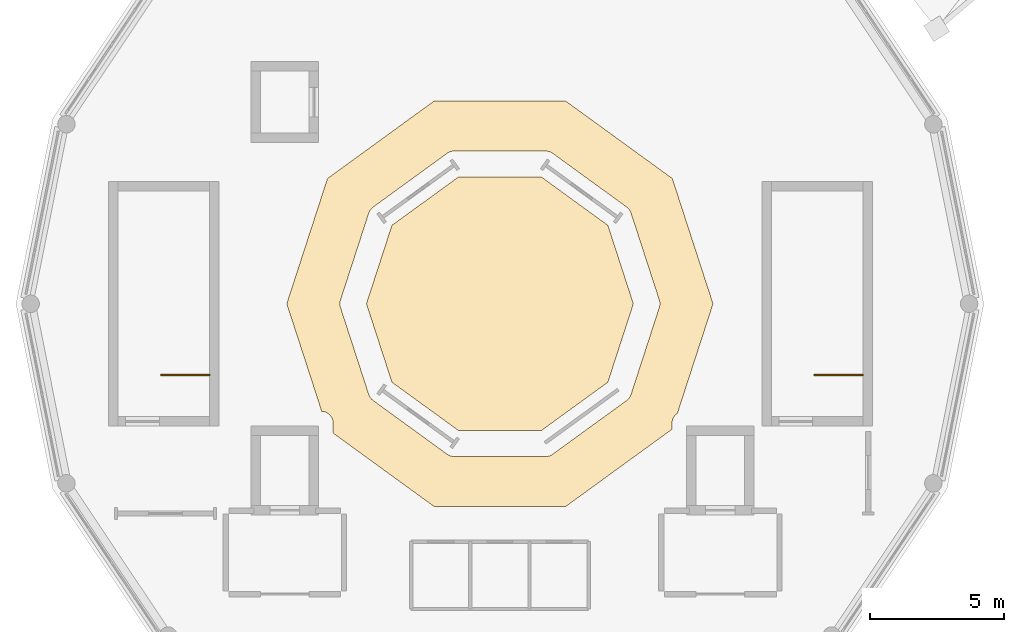
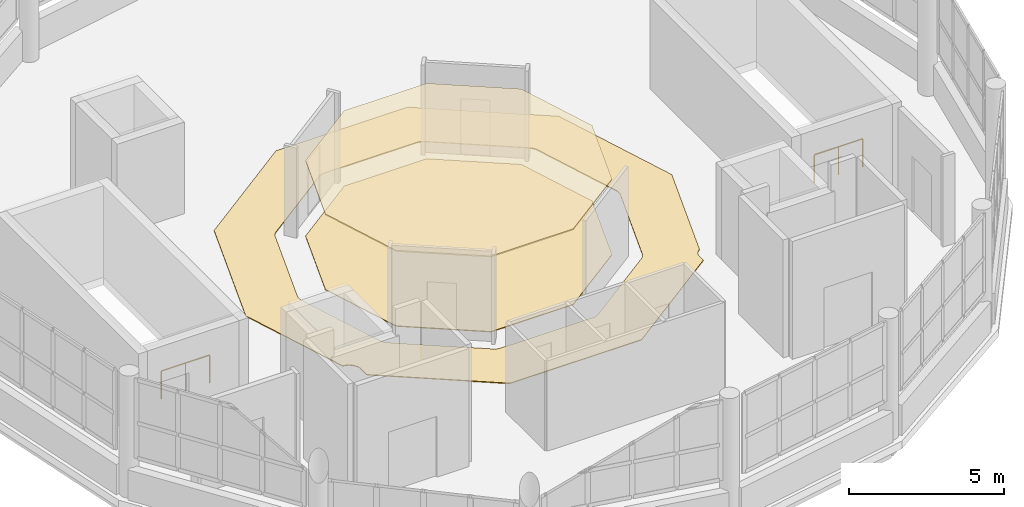
# One storey, part 12 of 12: 3 coverings, 2 railings.
"""IFC4 building model written with IfcOpenShell, lengths in metres."""

from ifc_helpers import new_model, si_unit, direction, frame, origin, origin_2d, place, context, subcontext, project, spatial, polyline, circle, outline, extrude, material, layer, layer_set, type_object, element, save


model = new_model("IFC4")

# Units and contexts
model_context = context("Model", 3, precision=1e-05, world=origin(), true_north=direction((0.0, 1.0)))
body_context = subcontext(model_context, "Body", "Model", "MODEL_VIEW")
ifc_project = project(units=[si_unit("LENGTHUNIT", "METRE"), si_unit("AREAUNIT", "SQUARE_METRE"), si_unit("VOLUMEUNIT", "CUBIC_METRE"), si_unit("PLANEANGLEUNIT", "RADIAN"), si_unit("MASSUNIT", "GRAM", prefix="KILO")], contexts=[model_context])

# Site, building, storey
site_placement = place(None, origin())
site = spatial("IfcSite", under=ifc_project, at=site_placement, CompositionType="ELEMENT")
building_placement = place(site_placement, origin())
building = spatial("IfcBuilding", under=site, at=building_placement, Name="Soyqirgoq Riverine Aquarium", CompositionType="ELEMENT")
storey_placement = place(building_placement, frame((0.0, 0.0, 24.60009765625)))
storey = spatial("IfcBuildingStorey", under=building, at=storey_placement, Name="L06", CompositionType="ELEMENT", Elevation=24.60009765625)

# Covering
ifc_material_1 = material(Name="Perforated mineral-fibre acoustic ceiling", Category="gypsum")
ifc_layer_1 = layer(ifc_material_1, 0.050048828125)
ifc_layer_set_1 = layer_set([ifc_layer_1], Name="Perforated mineral-fibre acoustic ceiling")
covering_type_1 = type_object("IfcCoveringType", Name="AcousticBaffleCeiling_50", PredefinedType="CEILING", material=ifc_layer_set_1)
covering_1_placement = place(storey_placement, frame((0.0, 0.0, 2.949951171875)))
element("IfcCovering", 1, at=covering_1_placement, inside=storey, type_object=covering_type_1, Name="Rooftop Terrace Lounge Suspended Ceiling", PredefinedType="CEILING", context=body_context, shape_type="SweptSolid", body=[
    extrude(outline(polyline([(57.533935546875, 52.279052734375), (54.466064453125, 52.279052734375), (51.98388671875, 54.08203125), (51.035888671875, 57.0), (51.98388671875, 59.91796875), (54.466064453125, 61.720947265625), (57.533935546875, 61.720947265625), (60.01611328125, 59.91796875), (60.964111328125, 57.0), (60.01611328125, 54.08203125), (57.533935546875, 52.279052734375)])), origin(), (0.0, 0.0, 1.0), 0.050048828125),
])

# Railings
ifc_material_2 = material(Name="Painted steel infill stair-well guardrail", Category="steel")
railing_type = type_object("IfcRailingType", Name="StairWellGuard_1120", PredefinedType="GUARDRAIL", material=ifc_material_2)
for number, where, name in (
    (2, (69.5, 54.35009765625, 0.0), "L06 ST-1 top well guard 1"),
    (3, (45.199951171875, 54.35009765625, 0.0), "L06 ST-9 top well guard 1"),
):
    element("IfcRailing", number, at=place(storey_placement, frame(where)), inside=storey, type_object=railing_type, Name=name, PredefinedType="GUARDRAIL", context=body_context, shape_type="SweptSolid", body=[
        extrude(circle(Radius=0.02392578125, at=origin_2d()), frame((0.0, 0.0, 1.09619140625), z_axis=(-1.0, 0.0, 0.0), x_axis=(0.0, -1.0, 0.0)), (0.0, 0.0, 1.0), 1.800048828125),
        extrude(circle(Radius=0.02099609375, at=origin_2d()), origin(), (0.0, 0.0, 1.0), 1.072021484375),
        extrude(circle(Radius=0.02099609375, at=origin_2d()), frame((-0.89990234375, 0.0, 0.0)), (0.0, 0.0, 1.0), 1.072021484375),
        extrude(circle(Radius=0.02099609375, at=origin_2d()), frame((-1.800048828125, 0.0, 0.0)), (0.0, 0.0, 1.0), 1.072021484375),
    ])

# Coverings
ifc_material_3 = material(Name="Polished Chirchiq river-pebble terrazzo flooring", Category="concrete")
ifc_layer_2 = layer(ifc_material_3, 0.030029296875)
ifc_layer_set_2 = layer_set([ifc_layer_2], Name="Polished Chirchiq river-pebble terrazzo flooring")
covering_type_2 = type_object("IfcCoveringType", Name="TerrazzoFloorFinish_30", PredefinedType="FLOORING", material=ifc_layer_set_2)
covering_2_placement = place(storey_placement, origin())
element("IfcCovering", 4, at=covering_2_placement, inside=storey, type_object=covering_type_2, Name="Ocean Drum Circulation Corridor Floor Finish", PredefinedType="FLOORING", context=body_context, shape_type="SweptSolid", body=[
    extrude(outline(polyline([(48.072998046875, 57.0), (49.5869140625, 61.658935546875), (53.551025390625, 64.5390625), (58.448974609375, 64.5390625), (62.4130859375, 61.658935546875), (63.927001953125, 57.0), (62.60302734375, 52.926025390625), (62.60009765625, 52.924072265625), (62.56494140625, 52.89794921875), (62.531982421875, 52.867919921875), (62.501953125, 52.8349609375), (62.47607421875, 52.800048828125), (62.452880859375, 52.761962890625), (62.43408203125, 52.721923828125), (62.4189453125, 52.680908203125), (62.408935546875, 52.637939453125), (62.402099609375, 52.593994140625), (62.39990234375, 52.550048828125), (62.39990234375, 52.3310546875), (58.448974609375, 49.4609375), (53.551025390625, 49.4609375), (49.800048828125, 52.18603515625), (49.800048828125, 52.550048828125), (49.798095703125, 52.593994140625), (49.791015625, 52.637939453125), (49.781005859375, 52.680908203125), (49.76611328125, 52.721923828125), (49.7470703125, 52.761962890625), (49.72412109375, 52.800048828125), (49.697998046875, 52.8349609375), (49.66796875, 52.867919921875), (49.635009765625, 52.89794921875), (49.60009765625, 52.924072265625), (49.56201171875, 52.947021484375), (49.52197265625, 52.966064453125), (49.48095703125, 52.98095703125), (49.43798828125, 52.990966796875), (49.39404296875, 52.998046875), (49.373046875, 52.9990234375), (48.072998046875, 57.0)]), holes=[polyline([(60.714111328125, 60.596923828125), (60.7509765625, 60.56689453125), (60.783935546875, 60.533935546875), (60.81396484375, 60.4970703125), (60.839111328125, 60.4580078125), (60.861083984375, 60.416015625), (60.8779296875, 60.3720703125), (61.927978515625, 57.138916015625), (61.93994140625, 57.093994140625), (61.947998046875, 57.047119140625), (61.949951171875, 57.0), (61.947998046875, 56.952880859375), (61.93994140625, 56.906005859375), (61.927978515625, 56.861083984375), (60.8779296875, 53.6279296875), (60.861083984375, 53.583984375), (60.839111328125, 53.5419921875), (60.81396484375, 53.5029296875), (60.783935546875, 53.466064453125), (60.7509765625, 53.43310546875), (60.714111328125, 53.403076171875), (57.964111328125, 51.405029296875), (57.925048828125, 51.37890625), (57.883056640625, 51.35791015625), (57.839111328125, 51.341064453125), (57.79296875, 51.3291015625), (57.7470703125, 51.322021484375), (57.699951171875, 51.319091796875), (54.300048828125, 51.319091796875), (54.2529296875, 51.322021484375), (54.20703125, 51.3291015625), (54.160888671875, 51.341064453125), (54.116943359375, 51.35791015625), (54.074951171875, 51.37890625), (54.035888671875, 51.405029296875), (51.285888671875, 53.403076171875), (51.2490234375, 53.43310546875), (51.216064453125, 53.466064453125), (51.18603515625, 53.5029296875), (51.160888671875, 53.5419921875), (51.138916015625, 53.583984375), (51.1220703125, 53.6279296875), (50.072021484375, 56.861083984375), (50.06005859375, 56.906005859375), (50.052001953125, 56.952880859375), (50.050048828125, 57.0), (50.052001953125, 57.047119140625), (50.06005859375, 57.093994140625), (50.072021484375, 57.138916015625), (51.1220703125, 60.3720703125), (51.138916015625, 60.416015625), (51.160888671875, 60.4580078125), (51.18603515625, 60.4970703125), (51.216064453125, 60.533935546875), (51.2490234375, 60.56689453125), (51.285888671875, 60.596923828125), (54.035888671875, 62.594970703125), (54.074951171875, 62.62109375), (54.116943359375, 62.64208984375), (54.160888671875, 62.658935546875), (54.20703125, 62.6708984375), (54.2529296875, 62.677978515625), (54.300048828125, 62.680908203125), (57.699951171875, 62.680908203125), (57.7470703125, 62.677978515625), (57.79296875, 62.6708984375), (57.839111328125, 62.658935546875), (57.883056640625, 62.64208984375), (57.925048828125, 62.62109375), (57.964111328125, 62.594970703125), (60.714111328125, 60.596923828125)])]), origin(), (0.0, 0.0, 1.0), 0.02978515625),
])
covering_3_placement = place(storey_placement, origin())
element("IfcCovering", 5, at=covering_3_placement, inside=storey, type_object=covering_type_2, Name="Rooftop Terrace Lounge Floor Finish", PredefinedType="FLOORING", context=body_context, shape_type="SweptSolid", body=[
    extrude(outline(polyline([(57.533935546875, 52.279052734375), (54.466064453125, 52.279052734375), (51.98388671875, 54.08203125), (51.035888671875, 57.0), (51.98388671875, 59.91796875), (54.466064453125, 61.720947265625), (57.533935546875, 61.720947265625), (60.01611328125, 59.91796875), (60.964111328125, 57.0), (60.01611328125, 54.08203125), (57.533935546875, 52.279052734375)])), origin(), (0.0, 0.0, 1.0), 0.02978515625),
])

save(model, "model.ifc")
